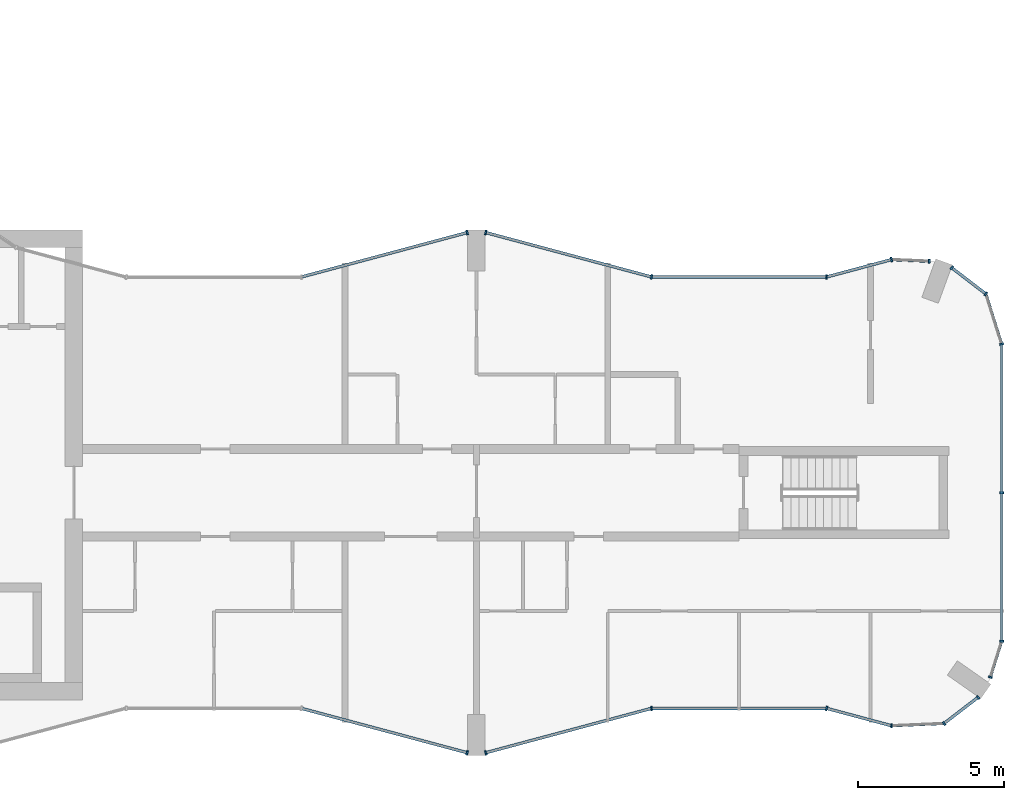
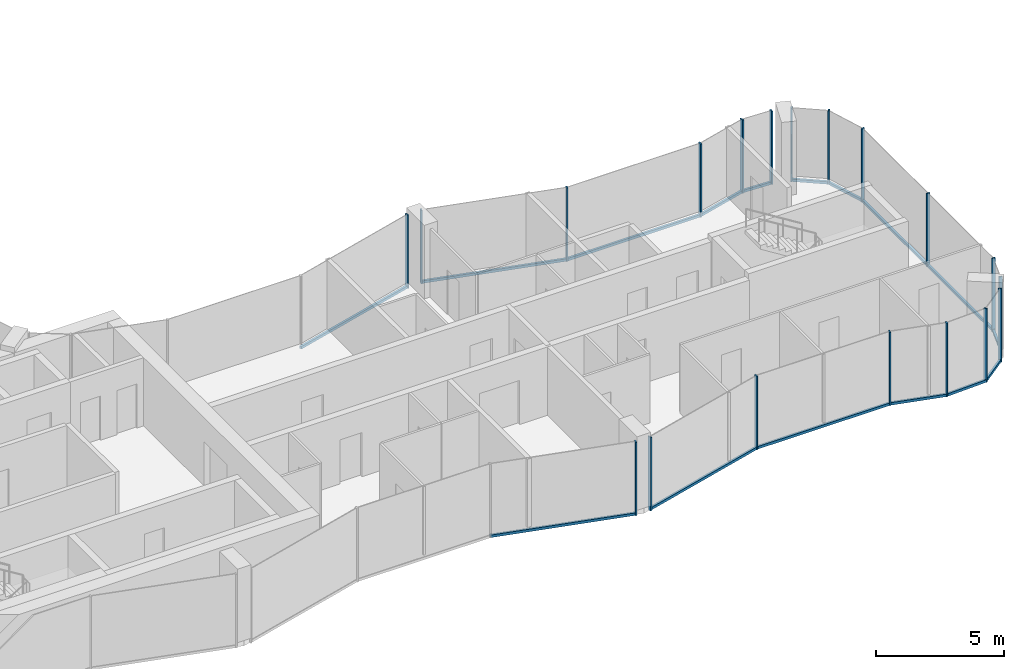
# One storey, part 6 of 15: 34 members, 15 elements without a shape of their own.
"""IFC4 building model written with IfcOpenShell, lengths in metres."""

import ifcopenshell
import ifcopenshell.guid

model = None  # the IFC model being written
_history = None  # IfcOwnerHistory: only IFC2X3 demands one
_inside = {}  # id of a spatial element -> (the spatial element, [elements in it])
_under = {}  # id of a project, library or spatial element -> (it, [spatial elements below it])
_declared = {}  # id of a project -> (the project, [libraries it declares])
_typed = {}  # id of a type object -> (the type object, [elements of that type])
_made_of = {}  # id of a material, layer set ... -> (it, [elements and type objects made of it])


def new_model(schema):
    """Start an empty IFC model of exactly this schema.

    Asked for "IFC4X3", IfcOpenShell would pick the latest addendum, in which some entities
    have other attributes; the version numbers below select the first issue.
    IFC2X3 requires an IfcOwnerHistory on every rooted entity: one is made here for all.
    """
    global model, _history
    if schema == "IFC4X3":
        model = ifcopenshell.file(schema_version=(4, 3, 0, 0))
    else:
        model = ifcopenshell.file(schema=schema)
    _inside.clear()
    _under.clear()
    _declared.clear()
    _typed.clear()
    _made_of.clear()
    _history = None
    if model.schema == "IFC2X3":
        org = make("IfcOrganization", Name="unknown")
        user = make(
            "IfcPersonAndOrganization",
            ThePerson=make("IfcPerson", FamilyName="unknown"),
            TheOrganization=org,
        )
        app = make(
            "IfcApplication",
            ApplicationDeveloper=org,
            Version="unknown",
            ApplicationFullName="unknown",
            ApplicationIdentifier="unknown",
        )
        _history = make(
            "IfcOwnerHistory",
            OwningUser=user,
            OwningApplication=app,
            ChangeAction="ADDED",
            CreationDate=0,
        )
    return model


def make(cls, **values):
    """One entity of the class cls with the attributes given. An attribute that is None is left unset."""
    return model.create_entity(
        cls, **{name: value for name, value in values.items() if value is not None}
    )


def rooted(cls, **values):
    """An entity with a GlobalId (a new one), such as an element, a storey or a relation."""
    return make(cls, GlobalId=ifcopenshell.guid.new(), OwnerHistory=_history, **values)


def si_unit(unit_type, name, prefix=None):
    """IfcSIUnit, for example si_unit("LENGTHUNIT", "METRE", prefix="MILLI")."""
    return make("IfcSIUnit", UnitType=unit_type, Prefix=prefix, Name=name)


def assignment(units):
    """IfcUnitAssignment: the units of a project."""
    return None if units is None else make("IfcUnitAssignment", Units=units)


def point(xyz):
    """IfcCartesianPoint."""
    return None if xyz is None else make("IfcCartesianPoint", Coordinates=xyz)


def direction(xyz):
    """IfcDirection."""
    return None if xyz is None else make("IfcDirection", DirectionRatios=xyz)


def frame(location, z_axis=None, x_axis=None):
    """IfcAxis2Placement3D, a coordinate frame: its origin and axes. An axis left out is left unset."""
    return make(
        "IfcAxis2Placement3D",
        Location=point(location),
        Axis=direction(z_axis),
        RefDirection=direction(x_axis),
    )


def frame_2d(location, x_axis=None):
    """IfcAxis2Placement2D, a coordinate frame in the plane: its origin and x axis."""
    return make(
        "IfcAxis2Placement2D", Location=point(location), RefDirection=direction(x_axis)
    )


def origin():
    """The frame at (0, 0, 0) with its axes left unset."""
    return frame((0.0, 0.0, 0.0))


def origin_2d():
    """The frame at (0, 0) in the plane with its x axis left unset."""
    return frame_2d((0.0, 0.0))


def place(relative_to, where):
    """IfcLocalPlacement: puts the frame where relative to a parent placement (None: the world)."""
    return make(
        "IfcLocalPlacement", PlacementRelTo=relative_to, RelativePlacement=where
    )


def context(
    kind, dimensions, precision=None, world=None, true_north=None, identifier=None
):
    """IfcGeometricRepresentationContext, for example the 3D "Model" context."""
    return make(
        "IfcGeometricRepresentationContext",
        ContextIdentifier=identifier,
        ContextType=kind,
        CoordinateSpaceDimension=dimensions,
        Precision=precision,
        WorldCoordinateSystem=world,
        TrueNorth=true_north,
    )


def subcontext(parent, identifier, kind, view, scale=None):
    """IfcGeometricRepresentationSubContext, for example "Body" below "Model"."""
    return make(
        "IfcGeometricRepresentationSubContext",
        ContextIdentifier=identifier,
        ContextType=kind,
        ParentContext=parent,
        TargetScale=scale,
        TargetView=view,
    )


def project(units=None, contexts=None):
    """IfcProject with its units and contexts."""
    return rooted(
        "IfcProject",
        Name="project",
        RepresentationContexts=contexts,
        UnitsInContext=assignment(units),
    )


def spatial(cls, under=None, at=None, **own):
    """A site, building, storey or space (cls), placed at a placement, below another one or the project."""
    s = rooted(cls, ObjectPlacement=at, **own)
    if under is not None:
        _under.setdefault(under.id(), (under, []))[1].append(s)
    return s


def profile(cls, at=None, kind="AREA", **sizes):
    """A parametric profile (cls). Its sizes go by their IFC names, for example OverallWidth=200.0."""
    return make(cls, ProfileType=kind, Position=at, **sizes)


def rectangle(**sizes):
    """IfcRectangleProfileDef."""
    return profile("IfcRectangleProfileDef", **sizes)


def extrude(swept, where, along, depth):
    """IfcExtrudedAreaSolid: the profile swept, set in the frame where, extruded along a direction by depth."""
    return make(
        "IfcExtrudedAreaSolid",
        SweptArea=swept,
        Position=where,
        ExtrudedDirection=direction(along),
        Depth=depth,
    )


def shape(context_of_items, identifier, shape_type, items):
    """IfcShapeRepresentation: the items that make up one representation, for example the "Body"."""
    return make(
        "IfcShapeRepresentation",
        ContextOfItems=context_of_items,
        RepresentationIdentifier=identifier,
        RepresentationType=shape_type,
        Items=items,
    )


def material(Name=None, Category=None):
    """IfcMaterial."""
    return make("IfcMaterial", Name=Name, Category=Category)


def layer(
    of_material, thickness, ventilated=None, Name=None, Category=None, Priority=None
):
    """IfcMaterialLayer: one layer of a wall or slab, of a material (None: an air gap)."""
    return make(
        "IfcMaterialLayer",
        Material=of_material,
        LayerThickness=thickness,
        IsVentilated=ventilated,
        Name=Name,
        Category=Category,
        Priority=Priority,
    )


def layer_set(layers, Name=None):
    """IfcMaterialLayerSet."""
    return make("IfcMaterialLayerSet", MaterialLayers=layers, LayerSetName=Name)


def material_profile(
    of_material, cross_section, Name=None, Category=None, Priority=None
):
    """IfcMaterialProfile: a cross section and its material."""
    return make(
        "IfcMaterialProfile",
        Name=Name,
        Material=of_material,
        Profile=cross_section,
        Priority=Priority,
        Category=Category,
    )


def profile_set(profiles, Name=None, composite=None):
    """IfcMaterialProfileSet."""
    return make(
        "IfcMaterialProfileSet",
        Name=Name,
        MaterialProfiles=profiles,
        CompositeProfile=composite,
    )


def made_of(thing, what):
    """Note that an element or type object is made of a material, layer set ...; save() writes the relation."""
    if what is not None:
        _made_of.setdefault(what.id(), (what, []))[1].append(thing)
    return thing


def type_object(cls, material=None, **own):
    """A type object (cls), such as IfcWallType, which elements share."""
    return made_of(rooted(cls, **own), material)


def element(
    cls,
    number,
    at=None,
    inside=None,
    cuts=None,
    type_object=None,
    material=None,
    context=None,
    identifier="Body",
    shape_type=None,
    held_by="IfcProductDefinitionShape",
    body=None,
    shapes=None,
    **own,
):
    """One element of the class cls, such as IfcWall. Its Tag is "e" and its number.

    at: its placement. inside: the storey or other place that contains it. cuts: it is an
    opening in that element (IfcRelVoidsElement). A single representation is given by context,
    identifier, shape_type and body (its items); several are given by shapes. held_by: the class
    of the entity that holds the representations. save() writes the other relations.
    """
    e = rooted(cls, Tag="e%d" % number, ObjectPlacement=at, **own)
    if body is not None:
        shapes = [shape(context, identifier, shape_type, body)]
    if shapes is not None:
        e.Representation = make(held_by, Representations=shapes)
    if inside is not None:
        _inside.setdefault(inside.id(), (inside, []))[1].append(e)
    if cuts is not None:
        rooted(
            "IfcRelVoidsElement", RelatingBuildingElement=cuts, RelatedOpeningElement=e
        )
    if type_object is not None:
        _typed.setdefault(type_object.id(), (type_object, []))[1].append(e)
    return made_of(e, material)


def aggregate(whole, parts):
    """IfcRelAggregates: a whole, such as a stair, and the parts it consists of."""
    return rooted("IfcRelAggregates", RelatingObject=whole, RelatedObjects=parts)


def save(model, path):
    """Write the relations noted so far, then the file.

    IfcRelAggregates (storeys below a building ...), IfcRelContainedInSpatialStructure (elements
    in a storey), IfcRelDefinesByType, IfcRelAssociatesMaterial and IfcRelDeclares: one each for
    every whole, place, type object, material and project.
    """
    for whole, parts in _under.values():
        aggregate(whole, parts)
    for where, things in _inside.values():
        rooted(
            "IfcRelContainedInSpatialStructure",
            RelatedElements=things,
            RelatingStructure=where,
        )
    for kind, things in _typed.values():
        rooted("IfcRelDefinesByType", RelatedObjects=things, RelatingType=kind)
    for what, things in _made_of.values():
        rooted("IfcRelAssociatesMaterial", RelatedObjects=things, RelatingMaterial=what)
    for by, libraries in _declared.values():
        rooted("IfcRelDeclares", RelatingContext=by, RelatedDefinitions=libraries)
    model.write(path)


model = new_model("IFC4")

# Units and contexts
model_context = context("Model", 3, precision=1e-05, world=origin(), true_north=direction((0.0, 1.0)))
body_context = subcontext(model_context, "Body", "Model", "MODEL_VIEW")
ifc_project = project(units=[si_unit("LENGTHUNIT", "METRE"), si_unit("AREAUNIT", "SQUARE_METRE"), si_unit("VOLUMEUNIT", "CUBIC_METRE"), si_unit("PLANEANGLEUNIT", "RADIAN"), si_unit("MASSUNIT", "GRAM", prefix="KILO")], contexts=[model_context])

# Site, building, storey
site_placement = place(None, origin())
site = spatial("IfcSite", under=ifc_project, at=site_placement, CompositionType="ELEMENT")
building_placement = place(site_placement, origin())
building = spatial("IfcBuilding", under=site, at=building_placement, Name="Plateau Cross Towers", CompositionType="ELEMENT")
storey_placement = place(building_placement, frame((0.0, 0.0, 149.89990234375)))
storey = spatial("IfcBuildingStorey", under=building, at=storey_placement, Name="L38", CompositionType="ELEMENT", Elevation=149.89990234375)

# Curtain wall, member
ifc_material_1 = material(Name="Dark low-iron glass", Category="glass")
ifc_layer_1 = layer(ifc_material_1, 0.239990234375)
ifc_layer_set_1 = layer_set([ifc_layer_1], Name="Dark low-iron glass")
curtain_wall_type_1 = type_object("IfcCurtainWallType", Name="Curtain wall flush unitised CW-B", PredefinedType="NOTDEFINED", material=ifc_layer_set_1)
curtain_wall_1_placement = place(storey_placement, origin())
curtain_wall_1 = element("IfcCurtainWall", 1, at=curtain_wall_1_placement, inside=storey, type_object=curtain_wall_type_1, Name="ENV/A/L38/A502_10", PredefinedType="NOTDEFINED")
ifc_material_2 = material(Name="Black anodised aluminium", Category="aluminium")
ifc_material_profile_1 = material_profile(ifc_material_2, rectangle(XDim=0.06005859375, YDim=0.139892578125, at=origin_2d()), Name="MULLION 60x140")
ifc_profile_set_1 = profile_set([ifc_material_profile_1], Name="Black anodised aluminium")
member_type_1 = type_object("IfcMemberType", Name="Mullion 60x140 flush unitised", PredefinedType="MULLION", material=ifc_profile_set_1)
member_1_placement = place(storey_placement, frame((50.223876953125, 1.01123046875, -0.25), z_axis=(0.0, 0.0, 1.0), x_axis=(0.999043701491, 0.043722791671, 0.0)))
member_1 = element("IfcMember", 2, at=member_1_placement, type_object=member_type_1, Name="CW-B mullion 1", PredefinedType="MULLION", context=body_context, shape_type="SweptSolid", body=[
    extrude(rectangle(XDim=0.06005859375, YDim=0.139892578125, at=origin_2d()), origin(), (0.0, 0.0, 1.0), 3.5),
])

# Curtain wall, members
curtain_wall_2_placement = place(storey_placement, origin())
curtain_wall_2 = element("IfcCurtainWall", 3, at=curtain_wall_2_placement, inside=storey, type_object=curtain_wall_type_1, Name="ENV/A/L38/A520_11", PredefinedType="NOTDEFINED")
member_2_placement = place(storey_placement, frame((52.0263671875, 1.090087890625, -0.25), z_axis=(0.0, 0.0, 1.0), x_axis=(0.793315514529, 0.608810721331, 0.0)))
member_2 = element("IfcMember", 4, at=member_2_placement, type_object=member_type_1, Name="CW-B mullion 1", PredefinedType="MULLION", context=body_context, shape_type="SweptSolid", body=[
    extrude(rectangle(XDim=0.06005859375, YDim=0.139892578125, at=origin_2d()), origin(), (0.0, 0.0, 1.0), 3.5),
])
member_3_placement = place(storey_placement, frame((53.193603515625, 1.986083984375, -0.25), z_axis=(0.0, 0.0, 1.0), x_axis=(0.793315514529, 0.608810721331, 0.0)))
member_3 = element("IfcMember", 5, at=member_3_placement, type_object=member_type_1, Name="CW-B mullion 2", PredefinedType="MULLION", context=body_context, shape_type="SweptSolid", body=[
    extrude(rectangle(XDim=0.06005859375, YDim=0.139892578125, at=origin_2d()), origin(), (0.0, 0.0, 1.0), 3.5),
])

# Curtain wall, member
curtain_wall_3_placement = place(storey_placement, origin())
curtain_wall_3 = element("IfcCurtainWall", 6, at=curtain_wall_3_placement, inside=storey, type_object=curtain_wall_type_1, Name="ENV/A/L38/A536_27", PredefinedType="NOTDEFINED")
member_4_placement = place(storey_placement, frame((53.611083984375, 2.67529296875, -0.25), z_axis=(0.0, 0.0, 1.0), x_axis=(0.300686174994, 0.95372313811, 0.0)))
member_4 = element("IfcMember", 7, at=member_4_placement, type_object=member_type_1, Name="CW-B mullion 1", PredefinedType="MULLION", context=body_context, shape_type="SweptSolid", body=[
    extrude(rectangle(XDim=0.06005859375, YDim=0.139892578125, at=origin_2d()), origin(), (0.0, 0.0, 1.0), 3.5),
])

# Curtain wall, members
curtain_wall_4_placement = place(storey_placement, origin())
curtain_wall_4 = element("IfcCurtainWall", 8, at=curtain_wall_4_placement, inside=storey, type_object=curtain_wall_type_1, Name="ENV/A/L38/A540_39", PredefinedType="NOTDEFINED")
member_5_placement = place(storey_placement, frame((54.0, 3.9091796875, -0.25), z_axis=(0.0, 0.0, 1.0), x_axis=(0.0, 1.0, 0.0)))
member_5 = element("IfcMember", 9, at=member_5_placement, type_object=member_type_1, Name="CW-B mullion 1", PredefinedType="MULLION", context=body_context, shape_type="SweptSolid", body=[
    extrude(rectangle(XDim=0.06005859375, YDim=0.139892578125, at=origin_2d()), origin(), (0.0, 0.0, 1.0), 3.5),
])
member_6_placement = place(storey_placement, frame((54.0, 9.0, -0.25), z_axis=(0.0, 0.0, 1.0), x_axis=(0.0, 1.0, 0.0)))
member_6 = element("IfcMember", 10, at=member_6_placement, type_object=member_type_1, Name="CW-B mullion 2", PredefinedType="MULLION", context=body_context, shape_type="SweptSolid", body=[
    extrude(rectangle(XDim=0.06005859375, YDim=0.139892578125, at=origin_2d()), origin(), (0.0, 0.0, 1.0), 3.5),
])

# Curtain wall, member
curtain_wall_5_placement = place(storey_placement, origin())
curtain_wall_5 = element("IfcCurtainWall", 11, at=curtain_wall_5_placement, inside=storey, type_object=curtain_wall_type_1, Name="ENV/A/L38/A540_141", PredefinedType="NOTDEFINED")
member_7_placement = place(storey_placement, frame((54.0, 14.0908203125, -0.25), z_axis=(0.0, 0.0, 1.0), x_axis=(-0.300686174994, 0.95372313811, 0.0)))
member_7 = element("IfcMember", 12, at=member_7_placement, type_object=member_type_1, Name="CW-B mullion 1", PredefinedType="MULLION", context=body_context, shape_type="SweptSolid", body=[
    extrude(rectangle(XDim=0.06005859375, YDim=0.139892578125, at=origin_2d()), origin(), (0.0, 0.0, 1.0), 3.5),
])

# Curtain wall, members
curtain_wall_6_placement = place(storey_placement, origin())
curtain_wall_6 = element("IfcCurtainWall", 13, at=curtain_wall_6_placement, inside=storey, type_object=curtain_wall_type_1, Name="ENV/A/L38/A535_158", PredefinedType="NOTDEFINED")
member_8_placement = place(storey_placement, frame((53.45751953125, 15.8115234375, -0.25), z_axis=(0.0, 0.0, 1.0), x_axis=(-0.793315514529, 0.608810721331, 0.0)))
member_8 = element("IfcMember", 14, at=member_8_placement, type_object=member_type_1, Name="CW-B mullion 1", PredefinedType="MULLION", context=body_context, shape_type="SweptSolid", body=[
    extrude(rectangle(XDim=0.06005859375, YDim=0.139892578125, at=origin_2d()), origin(), (0.0, 0.0, 1.0), 3.5),
])
member_9_placement = place(storey_placement, frame((52.290283203125, 16.707275390625, -0.25), z_axis=(0.0, 0.0, 1.0), x_axis=(-0.793315514529, 0.608810721331, 0.0)))
member_9 = element("IfcMember", 15, at=member_9_placement, type_object=member_type_1, Name="CW-B mullion 2", PredefinedType="MULLION", context=body_context, shape_type="SweptSolid", body=[
    extrude(rectangle(XDim=0.06005859375, YDim=0.139892578125, at=origin_2d()), origin(), (0.0, 0.0, 1.0), 3.5),
])

# Curtain wall, member
curtain_wall_7_placement = place(storey_placement, origin())
curtain_wall_7 = element("IfcCurtainWall", 16, at=curtain_wall_7_placement, inside=storey, type_object=curtain_wall_type_1, Name="ENV/A/L38/A515_169", PredefinedType="NOTDEFINED")
member_10_placement = place(storey_placement, frame((51.516357421875, 16.93212890625, -0.25), z_axis=(0.0, 0.0, 1.0), x_axis=(-0.999043701491, 0.043722791671, 0.0)))
member_10 = element("IfcMember", 17, at=member_10_placement, type_object=member_type_1, Name="CW-B mullion 1", PredefinedType="MULLION", context=body_context, shape_type="SweptSolid", body=[
    extrude(rectangle(XDim=0.06005859375, YDim=0.139892578125, at=origin_2d()), origin(), (0.0, 0.0, 1.0), 3.5),
])

ifc_layer_2 = layer(ifc_material_1, 0.260009765625)
ifc_layer_set_2 = layer_set([ifc_layer_2], Name="Dark low-iron glass")
curtain_wall_type_2 = type_object("IfcCurtainWallType", Name="Curtain wall fluted unitised CW-A", PredefinedType="NOTDEFINED", material=ifc_layer_set_2)
curtain_wall_8_placement = place(storey_placement, origin())
curtain_wall_8 = element("IfcCurtainWall", 18, at=curtain_wall_8_placement, inside=storey, type_object=curtain_wall_type_2, Name="ENV/A/L38/A300_16", PredefinedType="NOTDEFINED")
ifc_material_profile_2 = material_profile(ifc_material_2, rectangle(XDim=0.06005859375, YDim=0.159912109375, at=origin_2d()), Name="MULLION 60x160")
ifc_profile_set_2 = profile_set([ifc_material_profile_2], Name="Black anodised aluminium")
member_type_2 = type_object("IfcMemberType", Name="Mullion 60x160 fluted unitised", PredefinedType="MULLION", material=ifc_profile_set_2)
member_11_placement = place(storey_placement, frame((35.68212890625, 0.085205078125, -0.25), z_axis=(0.0, 0.0, 1.0), x_axis=(0.965957983404, -0.258699003279, 0.0)))
member_11 = element("IfcMember", 19, at=member_11_placement, type_object=member_type_2, Name="CW-A mullion 2", PredefinedType="MULLION", context=body_context, shape_type="SweptSolid", body=[
    extrude(rectangle(XDim=0.06005859375, YDim=0.159912109375, at=origin_2d()), origin(), (0.0, 0.0, 1.0), 3.5),
])

curtain_wall_9_placement = place(storey_placement, origin())
curtain_wall_9 = element("IfcCurtainWall", 20, at=curtain_wall_9_placement, inside=storey, type_object=curtain_wall_type_2, Name="ENV/A/L38/A363_1", PredefinedType="NOTDEFINED")
member_12_placement = place(storey_placement, frame((36.31787109375, 0.085205078125, -0.25), z_axis=(0.0, 0.0, 1.0), x_axis=(0.965957983404, 0.258699003279, 0.0)))
member_12 = element("IfcMember", 21, at=member_12_placement, type_object=member_type_2, Name="CW-A mullion 1", PredefinedType="MULLION", context=body_context, shape_type="SweptSolid", body=[
    extrude(rectangle(XDim=0.06005859375, YDim=0.159912109375, at=origin_2d()), origin(), (0.0, 0.0, 1.0), 3.5),
])

curtain_wall_10_placement = place(storey_placement, origin())
curtain_wall_10 = element("IfcCurtainWall", 22, at=curtain_wall_10_placement, inside=storey, type_object=curtain_wall_type_2, Name="ENV/A/L38/A420_16", PredefinedType="NOTDEFINED")
member_13_placement = place(storey_placement, frame((42.0, 1.60693359375, -0.25), z_axis=(0.0, 0.0, 1.0), x_axis=(1.0, 0.0, 0.0)))
member_13 = element("IfcMember", 23, at=member_13_placement, type_object=member_type_2, Name="CW-A mullion 1", PredefinedType="MULLION", context=body_context, shape_type="SweptSolid", body=[
    extrude(rectangle(XDim=0.06005859375, YDim=0.159912109375, at=origin_2d()), origin(), (0.0, 0.0, 1.0), 3.5),
])

curtain_wall_11_placement = place(storey_placement, origin())
curtain_wall_11 = element("IfcCurtainWall", 24, at=curtain_wall_11_placement, inside=storey, type_object=curtain_wall_type_2, Name="ENV/A/L38/A480_16", PredefinedType="NOTDEFINED")
member_14_placement = place(storey_placement, frame((48.0, 1.60693359375, -0.25), z_axis=(0.0, 0.0, 1.0), x_axis=(0.965957962328, -0.258699081978, 0.0)))
member_14 = element("IfcMember", 25, at=member_14_placement, type_object=member_type_2, Name="CW-A mullion 1", PredefinedType="MULLION", context=body_context, shape_type="SweptSolid", body=[
    extrude(rectangle(XDim=0.06005859375, YDim=0.159912109375, at=origin_2d()), origin(), (0.0, 0.0, 1.0), 3.5),
])

curtain_wall_12_placement = place(storey_placement, origin())
curtain_wall_12 = element("IfcCurtainWall", 26, at=curtain_wall_12_placement, inside=storey, type_object=curtain_wall_type_2, Name="ENV/A/L38/A502_170", PredefinedType="NOTDEFINED")
member_15_placement = place(storey_placement, frame((50.223876953125, 16.98876953125, -0.25), z_axis=(0.0, 0.0, 1.0), x_axis=(-0.965957962328, -0.258699081978, 0.0)))
member_15 = element("IfcMember", 27, at=member_15_placement, type_object=member_type_2, Name="CW-A mullion 1", PredefinedType="MULLION", context=body_context, shape_type="SweptSolid", body=[
    extrude(rectangle(XDim=0.06005859375, YDim=0.159912109375, at=origin_2d()), origin(), (0.0, 0.0, 1.0), 3.5),
])

curtain_wall_13_placement = place(storey_placement, origin())
curtain_wall_13 = element("IfcCurtainWall", 28, at=curtain_wall_13_placement, inside=storey, type_object=curtain_wall_type_2, Name="ENV/A/L38/A480_164", PredefinedType="NOTDEFINED")
member_16_placement = place(storey_placement, frame((48.0, 16.39306640625, -0.25), z_axis=(0.0, 0.0, 1.0), x_axis=(-1.0, 0.0, 0.0)))
member_16 = element("IfcMember", 29, at=member_16_placement, type_object=member_type_2, Name="CW-A mullion 1", PredefinedType="MULLION", context=body_context, shape_type="SweptSolid", body=[
    extrude(rectangle(XDim=0.06005859375, YDim=0.159912109375, at=origin_2d()), origin(), (0.0, 0.0, 1.0), 3.5),
])

# Curtain wall, members
curtain_wall_14_placement = place(storey_placement, origin())
curtain_wall_14 = element("IfcCurtainWall", 30, at=curtain_wall_14_placement, inside=storey, type_object=curtain_wall_type_2, Name="ENV/A/L38/A420_164", PredefinedType="NOTDEFINED")
member_17_placement = place(storey_placement, frame((42.0, 16.39306640625, -0.25), z_axis=(0.0, 0.0, 1.0), x_axis=(-0.965957983404, 0.258699003279, 0.0)))
member_17 = element("IfcMember", 31, at=member_17_placement, type_object=member_type_2, Name="CW-A mullion 1", PredefinedType="MULLION", context=body_context, shape_type="SweptSolid", body=[
    extrude(rectangle(XDim=0.06005859375, YDim=0.159912109375, at=origin_2d()), origin(), (0.0, 0.0, 1.0), 3.5),
])
member_18_placement = place(storey_placement, frame((36.31787109375, 17.914794921875, -0.25), z_axis=(0.0, 0.0, 1.0), x_axis=(-0.965957983404, 0.258699003279, 0.0)))
member_18 = element("IfcMember", 32, at=member_18_placement, type_object=member_type_2, Name="CW-A mullion 2", PredefinedType="MULLION", context=body_context, shape_type="SweptSolid", body=[
    extrude(rectangle(XDim=0.06005859375, YDim=0.159912109375, at=origin_2d()), origin(), (0.0, 0.0, 1.0), 3.5),
])

# Curtain wall, member
curtain_wall_15_placement = place(storey_placement, origin())
curtain_wall_15 = element("IfcCurtainWall", 33, at=curtain_wall_15_placement, inside=storey, type_object=curtain_wall_type_2, Name="ENV/A/L38/A357_179", PredefinedType="NOTDEFINED")
member_19_placement = place(storey_placement, frame((35.68212890625, 17.914794921875, -0.25), z_axis=(0.0, 0.0, 1.0), x_axis=(-0.965957983404, -0.258699003279, 0.0)))
member_19 = element("IfcMember", 34, at=member_19_placement, type_object=member_type_2, Name="CW-A mullion 1", PredefinedType="MULLION", context=body_context, shape_type="SweptSolid", body=[
    extrude(rectangle(XDim=0.06005859375, YDim=0.159912109375, at=origin_2d()), origin(), (0.0, 0.0, 1.0), 3.5),
])

# Member
ifc_material_profile_3 = material_profile(ifc_material_2, rectangle(XDim=0.10009765625, YDim=0.1201171875, at=origin_2d()), Name="TRANSOM 100x120")
ifc_profile_set_3 = profile_set([ifc_material_profile_3], Name="Black anodised aluminium")
member_type_3 = type_object("IfcMemberType", Name="Transom 100x120 flush unitised", PredefinedType="USERDEFINED", material=ifc_profile_set_3)
member_20_placement = place(storey_placement, frame((50.223876953125, 1.01123046875, -0.18994140625), z_axis=(0.999044377355, 0.043707345779, 0.0), x_axis=(-0.043707345779, 0.999044377355, 0.0)))
member_20 = element("IfcMember", 35, at=member_20_placement, type_object=member_type_3, Name="CW-B transom", ObjectType="TRANSOM", PredefinedType="USERDEFINED", context=body_context, shape_type="SweptSolid", body=[
    extrude(rectangle(XDim=0.10009765625, YDim=0.1201171875, at=origin_2d()), origin(), (0.0, 0.0, 1.0), 1.80419921875),
])

aggregate(curtain_wall_1, [member_1, member_20])

member_21_placement = place(storey_placement, frame((52.0263671875, 1.090087890625, -0.18994140625), z_axis=(0.793240368515, 0.608908628415, 0.0), x_axis=(-0.608908628415, 0.793240368515, 0.0)))
member_21 = element("IfcMember", 36, at=member_21_placement, type_object=member_type_3, Name="CW-B transom", ObjectType="TRANSOM", PredefinedType="USERDEFINED", context=body_context, shape_type="SweptSolid", body=[
    extrude(rectangle(XDim=0.10009765625, YDim=0.1201171875, at=origin_2d()), origin(), (0.0, 0.0, 1.0), 1.471435546875),
])

aggregate(curtain_wall_2, [member_2, member_3, member_21])

member_22_placement = place(storey_placement, frame((53.611083984375, 2.67529296875, -0.18994140625), z_axis=(0.300616528216, 0.953745093284, 0.0), x_axis=(-0.953745093284, 0.300616528216, 0.0)))
member_22 = element("IfcMember", 37, at=member_22_placement, type_object=member_type_3, Name="CW-B transom", ObjectType="TRANSOM", PredefinedType="USERDEFINED", context=body_context, shape_type="SweptSolid", body=[
    extrude(rectangle(XDim=0.10009765625, YDim=0.1201171875, at=origin_2d()), origin(), (0.0, 0.0, 1.0), 1.293701171875),
])

aggregate(curtain_wall_3, [member_4, member_22])

member_23_placement = place(storey_placement, frame((54.0, 3.9091796875, -0.18994140625), z_axis=(0.0, 1.0, 0.0), x_axis=(-1.0, 0.0, 0.0)))
member_23 = element("IfcMember", 38, at=member_23_placement, type_object=member_type_3, Name="CW-B transom", ObjectType="TRANSOM", PredefinedType="USERDEFINED", context=body_context, shape_type="SweptSolid", body=[
    extrude(rectangle(XDim=0.10009765625, YDim=0.1201171875, at=origin_2d()), origin(), (0.0, 0.0, 1.0), 10.181640625),
])

aggregate(curtain_wall_4, [member_5, member_6, member_23])

member_24_placement = place(storey_placement, frame((54.0, 14.0908203125, -0.18994140625), z_axis=(-0.30067799945, 0.953725715626, 0.0), x_axis=(-0.953725715626, -0.30067799945, 0.0)))
member_24 = element("IfcMember", 39, at=member_24_placement, type_object=member_type_3, Name="CW-B transom", ObjectType="TRANSOM", PredefinedType="USERDEFINED", context=body_context, shape_type="SweptSolid", body=[
    extrude(rectangle(XDim=0.10009765625, YDim=0.1201171875, at=origin_2d()), origin(), (0.0, 0.0, 1.0), 1.80419921875),
])

aggregate(curtain_wall_5, [member_7, member_24])

member_25_placement = place(storey_placement, frame((53.45751953125, 15.8115234375, -0.18994140625), z_axis=(-0.793320508571, 0.608804213751, 0.0), x_axis=(-0.608804213751, -0.793320508571, 0.0)))
member_25 = element("IfcMember", 40, at=member_25_placement, type_object=member_type_3, Name="CW-B transom", ObjectType="TRANSOM", PredefinedType="USERDEFINED", context=body_context, shape_type="SweptSolid", body=[
    extrude(rectangle(XDim=0.10009765625, YDim=0.1201171875, at=origin_2d()), origin(), (0.0, 0.0, 1.0), 1.471435546875),
])

aggregate(curtain_wall_6, [member_8, member_9, member_25])

member_26_placement = place(storey_placement, frame((51.516357421875, 16.93212890625, -0.18994140625), z_axis=(-0.999041144614, 0.043781175963, 0.0), x_axis=(-0.043781175963, -0.999041144614, 0.0)))
member_26 = element("IfcMember", 41, at=member_26_placement, type_object=member_type_3, Name="CW-B transom", ObjectType="TRANSOM", PredefinedType="USERDEFINED", context=body_context, shape_type="SweptSolid", body=[
    extrude(rectangle(XDim=0.10009765625, YDim=0.1201171875, at=origin_2d()), origin(), (0.0, 0.0, 1.0), 1.293701171875),
])

aggregate(curtain_wall_7, [member_10, member_26])

ifc_material_profile_4 = material_profile(ifc_material_2, rectangle(XDim=0.10009765625, YDim=0.1201171875, at=origin_2d()), Name="TRANSOM 100x120")
ifc_profile_set_4 = profile_set([ifc_material_profile_4], Name="Black anodised aluminium")
member_type_4 = type_object("IfcMemberType", Name="Transom 100x120 fluted unitised", PredefinedType="USERDEFINED", material=ifc_profile_set_4)
member_27_placement = place(storey_placement, frame((30.0, 1.60693359375, -0.18994140625), z_axis=(0.965959534794, -0.258693210465, 0.0), x_axis=(0.258693210465, 0.965959534794, 0.0)))
member_27 = element("IfcMember", 42, at=member_27_placement, type_object=member_type_4, Name="CW-A transom", ObjectType="TRANSOM", PredefinedType="USERDEFINED", context=body_context, shape_type="SweptSolid", body=[
    extrude(rectangle(XDim=0.10009765625, YDim=0.1201171875, at=origin_2d()), origin(), (0.0, 0.0, 1.0), 5.88232421875),
])

aggregate(curtain_wall_8, [member_11, member_27])

member_28_placement = place(storey_placement, frame((36.31787109375, 0.085205078125, -0.18994140625), z_axis=(0.965959534794, 0.258693210465, 0.0), x_axis=(-0.258693210465, 0.965959534794, 0.0)))
member_28 = element("IfcMember", 43, at=member_28_placement, type_object=member_type_4, Name="CW-A transom", ObjectType="TRANSOM", PredefinedType="USERDEFINED", context=body_context, shape_type="SweptSolid", body=[
    extrude(rectangle(XDim=0.10009765625, YDim=0.1201171875, at=origin_2d()), origin(), (0.0, 0.0, 1.0), 5.88232421875),
])

aggregate(curtain_wall_9, [member_12, member_28])

member_29_placement = place(storey_placement, frame((42.0, 1.60693359375, -0.18994140625), z_axis=(1.0, 0.0, 0.0), x_axis=(0.0, 1.0, 0.0)))
member_29 = element("IfcMember", 44, at=member_29_placement, type_object=member_type_4, Name="CW-A transom", ObjectType="TRANSOM", PredefinedType="USERDEFINED", context=body_context, shape_type="SweptSolid", body=[
    extrude(rectangle(XDim=0.10009765625, YDim=0.1201171875, at=origin_2d()), origin(), (0.0, 0.0, 1.0), 6.0),
])

aggregate(curtain_wall_10, [member_13, member_29])

member_30_placement = place(storey_placement, frame((48.0, 1.60693359375, -0.18994140625), z_axis=(0.965945685136, -0.258744919501, 0.0), x_axis=(0.258744919501, 0.965945685136, 0.0)))
member_30 = element("IfcMember", 45, at=member_30_placement, type_object=member_type_4, Name="CW-A transom", ObjectType="TRANSOM", PredefinedType="USERDEFINED", context=body_context, shape_type="SweptSolid", body=[
    extrude(rectangle(XDim=0.10009765625, YDim=0.1201171875, at=origin_2d()), origin(), (0.0, 0.0, 1.0), 2.30224609375),
])

aggregate(curtain_wall_11, [member_14, member_30])

member_31_placement = place(storey_placement, frame((50.223876953125, 16.98876953125, -0.18994140625), z_axis=(-0.965945685136, -0.258744919501, 0.0), x_axis=(0.258744919501, -0.965945685136, 0.0)))
member_31 = element("IfcMember", 46, at=member_31_placement, type_object=member_type_4, Name="CW-A transom", ObjectType="TRANSOM", PredefinedType="USERDEFINED", context=body_context, shape_type="SweptSolid", body=[
    extrude(rectangle(XDim=0.10009765625, YDim=0.1201171875, at=origin_2d()), origin(), (0.0, 0.0, 1.0), 2.30224609375),
])

aggregate(curtain_wall_12, [member_15, member_31])

member_32_placement = place(storey_placement, frame((48.0, 16.39306640625, -0.18994140625), z_axis=(-1.0, 0.0, 0.0), x_axis=(0.0, -1.0, 0.0)))
member_32 = element("IfcMember", 47, at=member_32_placement, type_object=member_type_4, Name="CW-A transom", ObjectType="TRANSOM", PredefinedType="USERDEFINED", context=body_context, shape_type="SweptSolid", body=[
    extrude(rectangle(XDim=0.10009765625, YDim=0.1201171875, at=origin_2d()), origin(), (0.0, 0.0, 1.0), 6.0),
])

aggregate(curtain_wall_13, [member_16, member_32])

member_33_placement = place(storey_placement, frame((42.0, 16.39306640625, -0.18994140625), z_axis=(-0.965959534794, 0.258693210465, 0.0), x_axis=(-0.258693210465, -0.965959534794, 0.0)))
member_33 = element("IfcMember", 48, at=member_33_placement, type_object=member_type_4, Name="CW-A transom", ObjectType="TRANSOM", PredefinedType="USERDEFINED", context=body_context, shape_type="SweptSolid", body=[
    extrude(rectangle(XDim=0.10009765625, YDim=0.1201171875, at=origin_2d()), origin(), (0.0, 0.0, 1.0), 5.88232421875),
])

aggregate(curtain_wall_14, [member_17, member_18, member_33])

member_34_placement = place(storey_placement, frame((35.68212890625, 17.914794921875, -0.18994140625), z_axis=(-0.965959534794, -0.258693210465, 0.0), x_axis=(0.258693210465, -0.965959534794, 0.0)))
member_34 = element("IfcMember", 49, at=member_34_placement, type_object=member_type_4, Name="CW-A transom", ObjectType="TRANSOM", PredefinedType="USERDEFINED", context=body_context, shape_type="SweptSolid", body=[
    extrude(rectangle(XDim=0.10009765625, YDim=0.1201171875, at=origin_2d()), origin(), (0.0, 0.0, 1.0), 5.88232421875),
])

aggregate(curtain_wall_15, [member_19, member_34])

save(model, "model.ifc")
